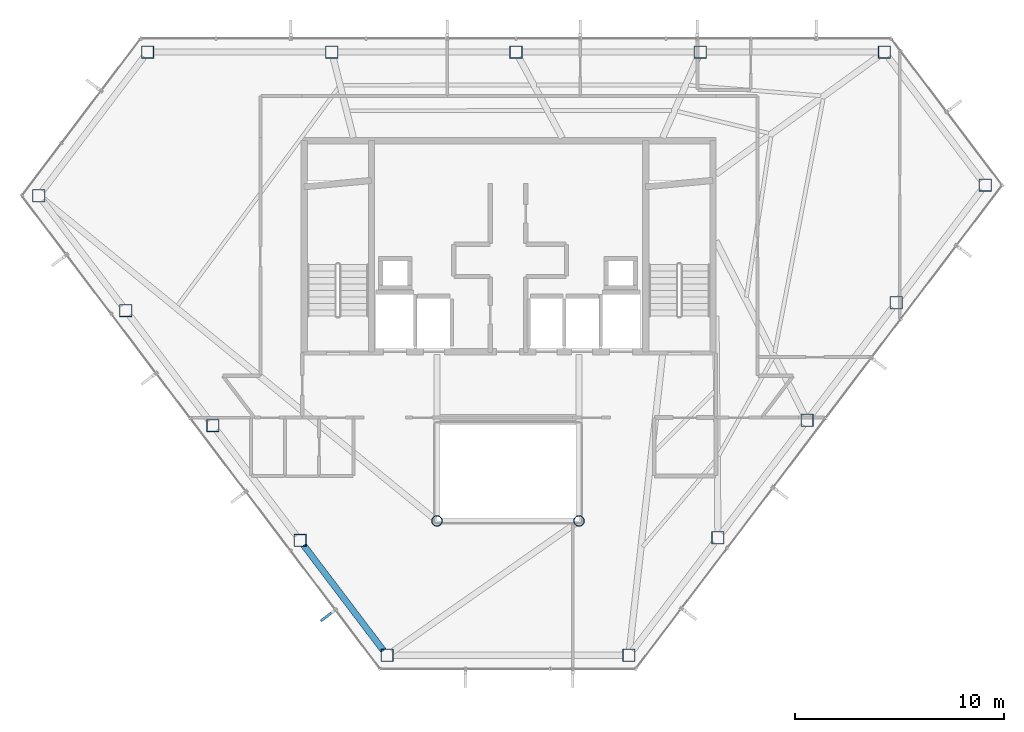
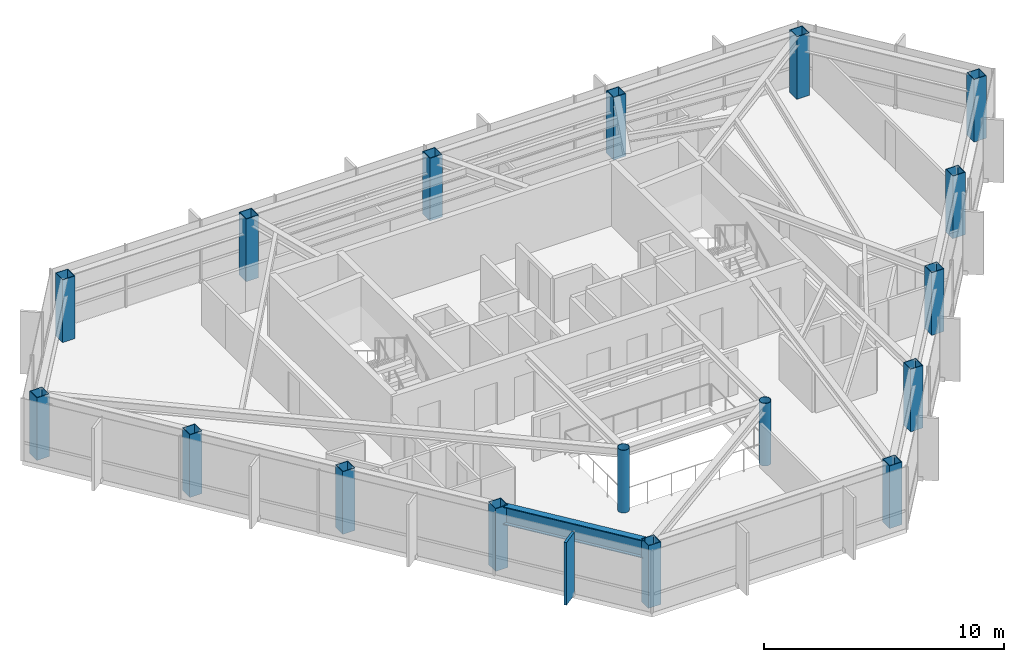
# One storey, part 1 of 28: 17 columns, 1 beam, 1 member, 1 element without a shape of its own.
"""IFC4 building model written with IfcOpenShell, lengths in metres."""

from ifc_helpers import new_model, si_unit, direction, frame, origin, origin_2d, place, context, subcontext, project, spatial, rectangle, hollow_rectangle, hollow_circle, i_section, extrude, material, layer, layer_set, material_profile, profile_set, type_object, element, aggregate, save


model = new_model("IFC4")

# Units and contexts
model_context = context("Model", 3, precision=1e-05, world=origin(), true_north=direction((0.0, 1.0)))
body_context = subcontext(model_context, "Body", "Model", "MODEL_VIEW")
ifc_project = project(units=[si_unit("LENGTHUNIT", "METRE"), si_unit("AREAUNIT", "SQUARE_METRE"), si_unit("VOLUMEUNIT", "CUBIC_METRE"), si_unit("PLANEANGLEUNIT", "RADIAN"), si_unit("MASSUNIT", "GRAM", prefix="KILO")], contexts=[model_context])

# Site, building, storey
site_placement = place(None, origin())
site = spatial("IfcSite", under=ifc_project, at=site_placement, CompositionType="ELEMENT")
building_placement = place(site_placement, origin())
building = spatial("IfcBuilding", under=site, at=building_placement, Name="Zarrinselat Tower", CompositionType="ELEMENT")
storey_placement = place(building_placement, frame((0.0, 0.0, 218.9599609375)))
storey = spatial("IfcBuildingStorey", under=building, at=storey_placement, Name="L54", CompositionType="ELEMENT", Elevation=218.9599609375)

# Columns
ifc_material_1 = material(Name="Steel S355J2", Category="steel")
ifc_material_profile_1 = material_profile(ifc_material_1, hollow_circle(Radius=0.25390625, WallThickness=0.02001953125, at=origin_2d()), Name="CHS 508x20")
ifc_profile_set_1 = profile_set([ifc_material_profile_1], Name="Steel S355J2")
column_type_1 = type_object("IfcColumnType", Name="COL-CHS508", PredefinedType="COLUMN", material=ifc_profile_set_1)
for number, where, z_axis, x_axis, name in (
    (1, (35.0, 25.199951171875, 0.0), (0.0, 0.0, 1.0), (1.0, 0.0, 0.0), "L54 Atrium Corner Column 1"),
    (2, (41.800048828125, 25.199951171875, 0.0), (0.0, 0.0, 1.0), (1.0, 0.0, 0.0), "L54 Atrium Corner Column 2"),
):
    element("IfcColumn", number, at=place(storey_placement, frame(where, z_axis=z_axis, x_axis=x_axis)), inside=storey, type_object=column_type_1, Name=name, PredefinedType="COLUMN", context=body_context, shape_type="SweptSolid", body=[
        extrude(hollow_circle(Radius=0.25390625, WallThickness=0.02001953125, at=origin_2d()), origin(), (0.0, 0.0, 1.0), 3.179931640625),
    ])
ifc_material_2 = material(Name="Steel S355J2", Category="steel")
ifc_material_profile_2 = material_profile(ifc_material_2, hollow_rectangle(XDim=0.60009765625, YDim=0.60009765625, WallThickness=0.030029296875, at=origin_2d()), Name="SHS 600x600x30")
ifc_profile_set_2 = profile_set([ifc_material_profile_2], Name="Steel S355J2")
column_type_2 = type_object("IfcColumnType", Name="COL-SHS600", PredefinedType="COLUMN", material=ifc_profile_set_2)
for number, where, z_axis, x_axis, name in (
    (3, (56.41650390625, 47.644287109375, 0.0), (0.0, 0.0, 1.0), (1.0, 0.0, 0.0), "L54 Framed-Tube Column T01"),
    (4, (47.599365234375, 47.644287109375, 0.0), (0.0, 0.0, 1.0), (1.0, 0.0, 0.0), "L54 Framed-Tube Column T02"),
    (5, (38.782470703125, 47.644287109375, 0.0), (0.0, 0.0, 1.0), (1.0, 0.0, 0.0), "L54 Framed-Tube Column T03"),
    (6, (29.965576171875, 47.644287109375, 0.0), (0.0, 0.0, 1.0), (1.0, 0.0, 0.0), "L54 Framed-Tube Column T04"),
    (7, (21.1484375, 47.644287109375, 0.0), (0.0, 0.0, 1.0), (1.0, 0.0, 0.0), "L54 Framed-Tube Column T05"),
    (8, (15.942138671875, 40.77197265625, 0.0), (0.0, 0.0, 1.0), (1.0, 0.0, 0.0), "L54 Framed-Tube Column T06"),
    (9, (20.10986328125, 35.270751953125, 0.0), (0.0, 0.0, 1.0), (1.0, 0.0, 0.0), "L54 Framed-Tube Column T07"),
    (10, (24.277587890625, 29.769287109375, 0.0), (0.0, 0.0, 1.0), (1.0, 0.0, 0.0), "L54 Framed-Tube Column T08"),
    (11, (28.445068359375, 24.26806640625, 0.0), (0.0, 0.0, 1.0), (1.0, 0.0, 0.0), "L54 Framed-Tube Column T09"),
    (12, (32.61279296875, 18.7666015625, 0.0), (0.0, 0.0, 1.0), (1.0, 0.0, 0.0), "L54 Framed-Tube Column T10"),
    (13, (44.187255859375, 18.7666015625, 0.0), (0.0, 0.0, 1.0), (1.0, 0.0, 0.0), "L54 Framed-Tube Column T11"),
    (14, (48.450439453125, 24.394287109375, 0.0), (0.0, 0.0, 1.0), (1.0, 0.0, 0.0), "L54 Framed-Tube Column T12"),
    (15, (52.713623046875, 30.021728515625, 0.0), (0.0, 0.0, 1.0), (1.0, 0.0, 0.0), "L54 Framed-Tube Column T13"),
    (16, (56.97705078125, 35.6494140625, 0.0), (0.0, 0.0, 1.0), (1.0, 0.0, 0.0), "L54 Framed-Tube Column T14"),
    (17, (61.240234375, 41.27685546875, 0.0), (0.0, 0.0, 1.0), (1.0, 0.0, 0.0), "L54 Framed-Tube Column T15"),
):
    element("IfcColumn", number, at=place(storey_placement, frame(where, z_axis=z_axis, x_axis=x_axis)), inside=storey, type_object=column_type_2, Name=name, PredefinedType="COLUMN", context=body_context, shape_type="SweptSolid", body=[
        extrude(hollow_rectangle(XDim=0.60009765625, YDim=0.60009765625, WallThickness=0.030029296875, at=origin_2d()), origin(), (0.0, 0.0, 1.0), 3.179931640625),
    ])

# Beam
ifc_material_3 = material(Name="Steel S460M", Category="steel")
ifc_material_profile_3 = material_profile(ifc_material_3, i_section(OverallWidth=0.302001953125, OverallDepth=0.909912109375, WebThickness=0.02099609375, FlangeThickness=0.0400390625, at=origin_2d()), Name="HEM 900")
ifc_profile_set_3 = profile_set([ifc_material_profile_3], Name="Steel S460M")
beam_type = type_object("IfcBeamType", Name="BM-HEM900", PredefinedType="BEAM", material=ifc_profile_set_3)
beam_placement = place(storey_placement, frame((28.618896484375, 24.038330078125, 2.72509765625), z_axis=(0.603895584246, -0.797063437455, 0.0), x_axis=(0.797063437455, 0.603895584246, 0.0)))
element("IfcBeam", 18, at=beam_placement, inside=storey, type_object=beam_type, Name="L54 Perimeter Spandrel Girder SP09", PredefinedType="BEAM", context=body_context, shape_type="SweptSolid", body=[
    extrude(i_section(OverallWidth=0.302001953125, OverallDepth=0.909912109375, WebThickness=0.02099609375, FlangeThickness=0.0400390625, at=origin_2d()), origin(), (0.0, 0.0, 1.0), 6.32568359375),
])

# Curtain wall, member
ifc_material_4 = material(Name="Extruded Aluminium Alloy EN AW-6063 T6", Category="aluminium")
ifc_layer = layer(ifc_material_4, 0.169921875)
ifc_layer_set = layer_set([ifc_layer], Name="Extruded Aluminium Alloy EN AW-6063 T6")
curtain_wall_type = type_object("IfcCurtainWallType", Name="CWS-RES", PredefinedType="NOTDEFINED", material=ifc_layer_set)
curtain_wall_placement = place(storey_placement, origin())
curtain_wall = element("IfcCurtainWall", 19, at=curtain_wall_placement, inside=storey, type_object=curtain_wall_type, Name="L54 Unitised Curtain Wall CW-L54-E03", PredefinedType="NOTDEFINED")
ifc_material_5 = material(Name="Honed Cream Travertine Stone", Category="masonry")
ifc_material_profile_4 = material_profile(ifc_material_5, rectangle(XDim=0.1201171875, YDim=0.85009765625, at=origin_2d()), Name="FIN 850x120")
ifc_profile_set_4 = profile_set([ifc_material_profile_4], Name="Honed Cream Travertine Stone")
member_type = type_object("IfcMemberType", Name="MEM-STONE-FIN", PredefinedType="USERDEFINED", material=ifc_profile_set_4)
member_placement = place(storey_placement, frame((29.777587890625, 20.6708984375, 0.0), z_axis=(0.0, 0.0, 1.0), x_axis=(-0.603859787908, 0.797090557307, 0.0)))
member = element("IfcMember", 20, at=member_placement, type_object=member_type, Name="L54 Stone Shading Fin CW-L54-E03-07", ObjectType="FIN", PredefinedType="USERDEFINED", context=body_context, shape_type="SweptSolid", body=[
    extrude(rectangle(XDim=0.1201171875, YDim=0.85009765625, at=origin_2d()), origin(), (0.0, 0.0, 1.0), 3.179931640625),
])
aggregate(curtain_wall, [member])

save(model, "model.ifc")
